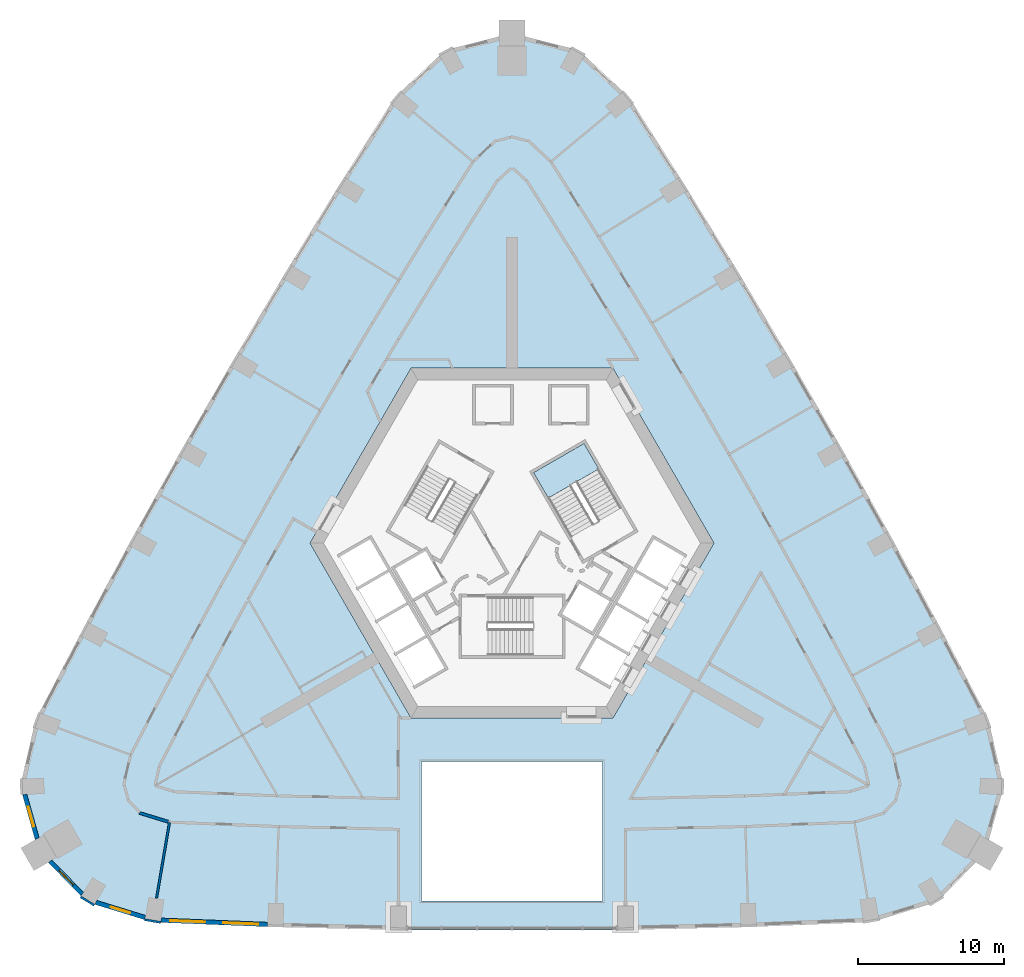
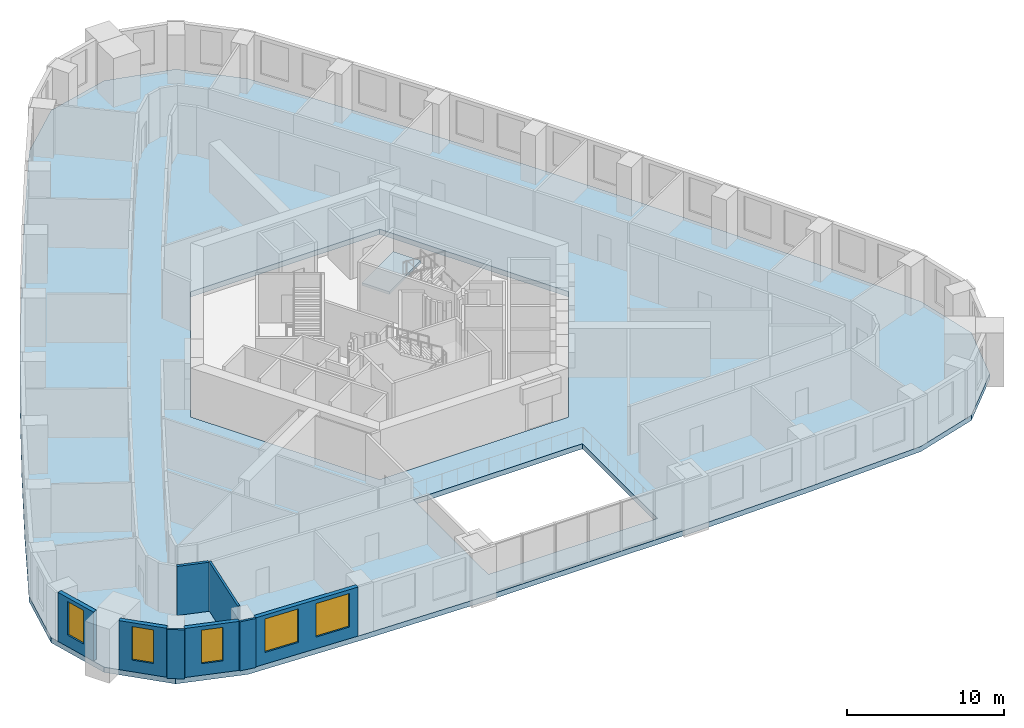
# One storey, part 3 of 12: 8 walls, 5 windows, 2 slabs, 5 openings, 1 element without a shape of its own.
"""IFC4 building model written with IfcOpenShell, lengths in metres."""

import ifcopenshell
import ifcopenshell.guid

model = None  # the IFC model being written
_history = None  # IfcOwnerHistory: only IFC2X3 demands one
_inside = {}  # id of a spatial element -> (the spatial element, [elements in it])
_under = {}  # id of a project, library or spatial element -> (it, [spatial elements below it])
_declared = {}  # id of a project -> (the project, [libraries it declares])
_typed = {}  # id of a type object -> (the type object, [elements of that type])
_made_of = {}  # id of a material, layer set ... -> (it, [elements and type objects made of it])


def new_model(schema):
    """Start an empty IFC model of exactly this schema.

    Asked for "IFC4X3", IfcOpenShell would pick the latest addendum, in which some entities
    have other attributes; the version numbers below select the first issue.
    IFC2X3 requires an IfcOwnerHistory on every rooted entity: one is made here for all.
    """
    global model, _history
    if schema == "IFC4X3":
        model = ifcopenshell.file(schema_version=(4, 3, 0, 0))
    else:
        model = ifcopenshell.file(schema=schema)
    _inside.clear()
    _under.clear()
    _declared.clear()
    _typed.clear()
    _made_of.clear()
    _history = None
    if model.schema == "IFC2X3":
        org = make("IfcOrganization", Name="unknown")
        user = make(
            "IfcPersonAndOrganization",
            ThePerson=make("IfcPerson", FamilyName="unknown"),
            TheOrganization=org,
        )
        app = make(
            "IfcApplication",
            ApplicationDeveloper=org,
            Version="unknown",
            ApplicationFullName="unknown",
            ApplicationIdentifier="unknown",
        )
        _history = make(
            "IfcOwnerHistory",
            OwningUser=user,
            OwningApplication=app,
            ChangeAction="ADDED",
            CreationDate=0,
        )
    return model


def make(cls, **values):
    """One entity of the class cls with the attributes given. An attribute that is None is left unset."""
    return model.create_entity(
        cls, **{name: value for name, value in values.items() if value is not None}
    )


def rooted(cls, **values):
    """An entity with a GlobalId (a new one), such as an element, a storey or a relation."""
    return make(cls, GlobalId=ifcopenshell.guid.new(), OwnerHistory=_history, **values)


def si_unit(unit_type, name, prefix=None):
    """IfcSIUnit, for example si_unit("LENGTHUNIT", "METRE", prefix="MILLI")."""
    return make("IfcSIUnit", UnitType=unit_type, Prefix=prefix, Name=name)


def assignment(units):
    """IfcUnitAssignment: the units of a project."""
    return None if units is None else make("IfcUnitAssignment", Units=units)


def point(xyz):
    """IfcCartesianPoint."""
    return None if xyz is None else make("IfcCartesianPoint", Coordinates=xyz)


def direction(xyz):
    """IfcDirection."""
    return None if xyz is None else make("IfcDirection", DirectionRatios=xyz)


def frame(location, z_axis=None, x_axis=None):
    """IfcAxis2Placement3D, a coordinate frame: its origin and axes. An axis left out is left unset."""
    return make(
        "IfcAxis2Placement3D",
        Location=point(location),
        Axis=direction(z_axis),
        RefDirection=direction(x_axis),
    )


def frame_2d(location, x_axis=None):
    """IfcAxis2Placement2D, a coordinate frame in the plane: its origin and x axis."""
    return make(
        "IfcAxis2Placement2D", Location=point(location), RefDirection=direction(x_axis)
    )


def origin():
    """The frame at (0, 0, 0) with its axes left unset."""
    return frame((0.0, 0.0, 0.0))


def place(relative_to, where):
    """IfcLocalPlacement: puts the frame where relative to a parent placement (None: the world)."""
    return make(
        "IfcLocalPlacement", PlacementRelTo=relative_to, RelativePlacement=where
    )


def context(
    kind, dimensions, precision=None, world=None, true_north=None, identifier=None
):
    """IfcGeometricRepresentationContext, for example the 3D "Model" context."""
    return make(
        "IfcGeometricRepresentationContext",
        ContextIdentifier=identifier,
        ContextType=kind,
        CoordinateSpaceDimension=dimensions,
        Precision=precision,
        WorldCoordinateSystem=world,
        TrueNorth=true_north,
    )


def subcontext(parent, identifier, kind, view, scale=None):
    """IfcGeometricRepresentationSubContext, for example "Body" below "Model"."""
    return make(
        "IfcGeometricRepresentationSubContext",
        ContextIdentifier=identifier,
        ContextType=kind,
        ParentContext=parent,
        TargetScale=scale,
        TargetView=view,
    )


def project(units=None, contexts=None):
    """IfcProject with its units and contexts."""
    return rooted(
        "IfcProject",
        Name="project",
        RepresentationContexts=contexts,
        UnitsInContext=assignment(units),
    )


def spatial(cls, under=None, at=None, **own):
    """A site, building, storey or space (cls), placed at a placement, below another one or the project."""
    s = rooted(cls, ObjectPlacement=at, **own)
    if under is not None:
        _under.setdefault(under.id(), (under, []))[1].append(s)
    return s


def polyline(points):
    """IfcPolyline through the points."""
    return make("IfcPolyline", Points=[point(p) for p in points])


def profile(cls, at=None, kind="AREA", **sizes):
    """A parametric profile (cls). Its sizes go by their IFC names, for example OverallWidth=200.0."""
    return make(cls, ProfileType=kind, Position=at, **sizes)


def rectangle(**sizes):
    """IfcRectangleProfileDef."""
    return profile("IfcRectangleProfileDef", **sizes)


def outline(outer, holes=None, kind="AREA"):
    """IfcArbitraryClosedProfileDef: a profile drawn as a closed curve; with holes, ...WithVoids."""
    if holes is None:
        return make("IfcArbitraryClosedProfileDef", ProfileType=kind, OuterCurve=outer)
    return make(
        "IfcArbitraryProfileDefWithVoids",
        ProfileType=kind,
        OuterCurve=outer,
        InnerCurves=holes,
    )


def extrude(swept, where, along, depth):
    """IfcExtrudedAreaSolid: the profile swept, set in the frame where, extruded along a direction by depth."""
    return make(
        "IfcExtrudedAreaSolid",
        SweptArea=swept,
        Position=where,
        ExtrudedDirection=direction(along),
        Depth=depth,
    )


def shape(context_of_items, identifier, shape_type, items):
    """IfcShapeRepresentation: the items that make up one representation, for example the "Body"."""
    return make(
        "IfcShapeRepresentation",
        ContextOfItems=context_of_items,
        RepresentationIdentifier=identifier,
        RepresentationType=shape_type,
        Items=items,
    )


def material(Name=None, Category=None):
    """IfcMaterial."""
    return make("IfcMaterial", Name=Name, Category=Category)


def layer(
    of_material, thickness, ventilated=None, Name=None, Category=None, Priority=None
):
    """IfcMaterialLayer: one layer of a wall or slab, of a material (None: an air gap)."""
    return make(
        "IfcMaterialLayer",
        Material=of_material,
        LayerThickness=thickness,
        IsVentilated=ventilated,
        Name=Name,
        Category=Category,
        Priority=Priority,
    )


def layer_set(layers, Name=None):
    """IfcMaterialLayerSet."""
    return make("IfcMaterialLayerSet", MaterialLayers=layers, LayerSetName=Name)


def made_of(thing, what):
    """Note that an element or type object is made of a material, layer set ...; save() writes the relation."""
    if what is not None:
        _made_of.setdefault(what.id(), (what, []))[1].append(thing)
    return thing


def type_object(cls, material=None, **own):
    """A type object (cls), such as IfcWallType, which elements share."""
    return made_of(rooted(cls, **own), material)


def element(
    cls,
    number,
    at=None,
    inside=None,
    cuts=None,
    type_object=None,
    material=None,
    context=None,
    identifier="Body",
    shape_type=None,
    held_by="IfcProductDefinitionShape",
    body=None,
    shapes=None,
    **own,
):
    """One element of the class cls, such as IfcWall. Its Tag is "e" and its number.

    at: its placement. inside: the storey or other place that contains it. cuts: it is an
    opening in that element (IfcRelVoidsElement). A single representation is given by context,
    identifier, shape_type and body (its items); several are given by shapes. held_by: the class
    of the entity that holds the representations. save() writes the other relations.
    """
    e = rooted(cls, Tag="e%d" % number, ObjectPlacement=at, **own)
    if body is not None:
        shapes = [shape(context, identifier, shape_type, body)]
    if shapes is not None:
        e.Representation = make(held_by, Representations=shapes)
    if inside is not None:
        _inside.setdefault(inside.id(), (inside, []))[1].append(e)
    if cuts is not None:
        rooted(
            "IfcRelVoidsElement", RelatingBuildingElement=cuts, RelatedOpeningElement=e
        )
    if type_object is not None:
        _typed.setdefault(type_object.id(), (type_object, []))[1].append(e)
    return made_of(e, material)


def fill(opening, filler):
    """IfcRelFillsElement: the door or window that sits in an opening."""
    return rooted(
        "IfcRelFillsElement",
        RelatingOpeningElement=opening,
        RelatedBuildingElement=filler,
    )


def aggregate(whole, parts):
    """IfcRelAggregates: a whole, such as a stair, and the parts it consists of."""
    return rooted("IfcRelAggregates", RelatingObject=whole, RelatedObjects=parts)


def save(model, path):
    """Write the relations noted so far, then the file.

    IfcRelAggregates (storeys below a building ...), IfcRelContainedInSpatialStructure (elements
    in a storey), IfcRelDefinesByType, IfcRelAssociatesMaterial and IfcRelDeclares: one each for
    every whole, place, type object, material and project.
    """
    for whole, parts in _under.values():
        aggregate(whole, parts)
    for where, things in _inside.values():
        rooted(
            "IfcRelContainedInSpatialStructure",
            RelatedElements=things,
            RelatingStructure=where,
        )
    for kind, things in _typed.values():
        rooted("IfcRelDefinesByType", RelatedObjects=things, RelatingType=kind)
    for what, things in _made_of.values():
        rooted("IfcRelAssociatesMaterial", RelatedObjects=things, RelatingMaterial=what)
    for by, libraries in _declared.values():
        rooted("IfcRelDeclares", RelatingContext=by, RelatedDefinitions=libraries)
    model.write(path)


model = new_model("IFC4")

# Units and contexts
model_context = context("Model", 3, precision=1e-05, world=origin(), true_north=direction((0.0, 1.0)))
body_context = subcontext(model_context, "Body", "Model", "MODEL_VIEW")
ifc_project = project(units=[si_unit("LENGTHUNIT", "METRE"), si_unit("AREAUNIT", "SQUARE_METRE"), si_unit("VOLUMEUNIT", "CUBIC_METRE"), si_unit("PLANEANGLEUNIT", "RADIAN"), si_unit("MASSUNIT", "GRAM", prefix="KILO")], contexts=[model_context])

# Site, building, storey
site_placement = place(None, origin())
site = spatial("IfcSite", under=ifc_project, at=site_placement, CompositionType="ELEMENT")
building_placement = place(site_placement, origin())
building = spatial("IfcBuilding", under=site, at=building_placement, Name="Entoto Arch Interchange Tower", CompositionType="ELEMENT")
storey_placement = place(building_placement, frame((0.0, 0.0, 142.39990234375)))
storey = spatial("IfcBuildingStorey", under=building, at=storey_placement, Name="L31", CompositionType="ELEMENT", Elevation=142.39990234375)

# Stair, slab
ifc_material_1 = material(Name="Concrete C40/50", Category="concrete")
stair_type = type_object("IfcStairType", Name="EXIT STAIR RC 1800", PredefinedType="HALF_TURN_STAIR", material=ifc_material_1)
stair_placement = place(storey_placement, origin())
stair = element("IfcStair", 1, at=stair_placement, inside=storey, type_object=stair_type, Name="L31 Exit stair NE", PredefinedType="HALF_TURN_STAIR")
ifc_layer_1 = layer(ifc_material_1, 0.199951171875)
ifc_layer_set_1 = layer_set([ifc_layer_1], Name="Concrete C40/50")
slab_type_1 = type_object("IfcSlabType", Name="EXIT STAIR LANDING RC 200", PredefinedType="LANDING", material=ifc_layer_set_1)
slab_1_placement = place(storey_placement, frame((0.0, 0.0, 1.900146484375)))
slab_1 = element("IfcSlab", 2, at=slab_1_placement, type_object=slab_type_1, Name="ST-NE landing 1", PredefinedType="LANDING", context=body_context, shape_type="SweptSolid", body=[
    extrude(outline(polyline([(5.953369140625, 7.58837890625), (4.943359375, 9.337890625), (1.479248046875, 7.337890625), (2.4892578125, 5.58837890625), (5.953369140625, 7.58837890625)])), origin(), (0.0, 0.0, 1.0), 0.199951171875),
])
aggregate(stair, [slab_1])

# Slab
ifc_layer_2 = layer(ifc_material_1, 0.39990234375)
ifc_layer_set_2 = layer_set([ifc_layer_2], Name="Concrete C40/50")
slab_type_2 = type_object("IfcSlabType", Name="Post-tensioned flat plate 400 C40/50", PredefinedType="FLOOR", material=ifc_layer_set_2)
slab_2_placement = place(storey_placement, frame((0.0, 0.0, -0.39990234375)))
element("IfcSlab", 3, at=slab_2_placement, inside=storey, type_object=slab_type_2, Name="Floor slab L31", PredefinedType="FLOOR", context=body_context, shape_type="SweptSolid", body=[
    extrude(outline(polyline([(-24.6689453125, -23.5048828125), (-16.23388671875, -23.842041015625), (-7.800048828125, -24.041015625), (7.800048828125, -24.041015625), (16.23388671875, -23.842041015625), (24.6689453125, -23.5048828125), (29.176025390625, -22.1201171875), (32.469970703125, -18.74609375), (33.7451171875, -14.20703125), (32.68994140625, -9.611083984375), (29.419921875, -3.364990234375), (26.06396484375, 2.8369140625), (22.623046875, 8.990966796875), (19.097900390625, 15.096923828125), (15.489013671875, 21.154052734375), (11.7958984375, 27.160888671875), (8.02099609375, 33.115966796875), (4.569091796875, 36.326904296875), (0.0, 37.492919921875), (-4.569091796875, 36.326904296875), (-8.02099609375, 33.115966796875), (-11.7958984375, 27.160888671875), (-15.489013671875, 21.154052734375), (-19.097900390625, 15.096923828125), (-22.623046875, 8.990966796875), (-26.06396484375, 2.8369140625), (-29.419921875, -3.364990234375), (-32.68994140625, -9.611083984375), (-33.7451171875, -14.20703125), (-32.469970703125, -18.74609375), (-29.176025390625, -22.1201171875), (-24.6689453125, -23.5048828125)]), holes=[polyline([(6.199951171875, -22.041015625), (6.199951171875, -12.5), (-6.199951171875, -12.5), (-6.199951171875, -22.041015625), (6.199951171875, -22.041015625)]), polyline([(13.85595703125, 2.5), (6.927978515625, 14.5), (-6.927978515625, 14.5), (-13.85595703125, 2.5), (-6.927978515625, -9.5), (6.927978515625, -9.5), (13.85595703125, 2.5)])]), origin(), (0.0, 0.0, 1.0), 0.39990234375),
])

# Walls
ifc_material_2 = material(Name="Gypsum board partition on steel studs", Category="steel")
ifc_layer_3 = layer(ifc_material_2, 0.14990234375)
ifc_layer_set_3 = layer_set([ifc_layer_3], Name="Gypsum board partition on steel studs")
wall_type_1 = type_object("IfcWallType", Name="PARTITION 150", PredefinedType="PARTITIONING", material=ifc_layer_set_3)
wall_1_placement = place(storey_placement, frame((-23.498046875, -16.64599609375, 0.0), z_axis=(0.0, 0.0, 1.0), x_axis=(-0.168275674737, -0.985739974482, 0.0)))
element("IfcWall", 4, at=wall_1_placement, inside=storey, type_object=wall_type_1, Name="wall:L31:p138", PredefinedType="PARTITIONING", context=body_context, shape_type="SweptSolid", body=[
    extrude(rectangle(XDim=5.288330078125, YDim=0.14990234375, at=frame_2d((2.64404296875, 0.0))), origin(), (0.0, 0.0, 1.0), 3.800048828125),
])
ifc_layer_4 = layer(ifc_material_2, 0.199951171875)
ifc_layer_set_4 = layer_set([ifc_layer_4], Name="Gypsum board partition on steel studs")
wall_type_2 = type_object("IfcWallType", Name="PARTITION 200", PredefinedType="PARTITIONING", material=ifc_layer_set_4)
wall_2_placement = place(storey_placement, frame((-23.593994140625, -16.616943359375, 0.0), z_axis=(0.0, 0.0, 1.0), x_axis=(-0.955896815358, 0.293702704087, 0.0)))
element("IfcWall", 5, at=wall_2_placement, inside=storey, type_object=wall_type_2, Name="wall:L31:p060", PredefinedType="PARTITIONING", context=body_context, shape_type="SweptSolid", body=[
    extrude(rectangle(XDim=2.059814453125, YDim=0.199951171875, at=frame_2d((1.02978515625, 0.0))), origin(), (0.0, 0.0, 1.0), 3.800048828125),
])

# Wall, openings, windows
ifc_material_3 = material(Name="Welded tuff (ignimbrite) cladding, warm buff", Category="masonry")
ifc_layer_5 = layer(ifc_material_3, 0.300048828125)
ifc_layer_set_5 = layer_set([ifc_layer_5], Name="Welded tuff (ignimbrite) cladding, warm buff")
wall_type_3 = type_object("IfcWallType", Name="STONE INFILL WALL 300", PredefinedType="STANDARD", material=ifc_layer_set_5)
wall_3_placement = place(storey_placement, frame((-24.090087890625, -23.3779296875, 0.0), z_axis=(0.0, 0.0, 1.0), x_axis=(0.999203621229, -0.039901420066, 0.0)))
wall_3 = element("IfcWall", 6, at=wall_3_placement, inside=storey, type_object=wall_type_3, Name="Facade wall S-01 L31", PredefinedType="STANDARD", context=body_context, shape_type="SweptSolid", body=[
    extrude(rectangle(XDim=7.31787109375, YDim=0.300048828125, at=frame_2d((3.658935546875, 0.0))), origin(), (0.0, 0.0, 1.0), 3.800048828125),
])
opening_1_placement = place(wall_3_placement, frame((0.62890625, 0.0, 0.89990234375)))
opening_1 = element("IfcOpeningElement", 7, at=opening_1_placement, cuts=wall_3, Name="Opening WO-A", PredefinedType="OPENING", context=body_context, shape_type="SweptSolid", body=[
    extrude(rectangle(XDim=2.39990234375, YDim=2.60009765625, at=frame_2d((1.199951171875, 1.300048828125))), frame((0.0, 0.16015625, 0.0), z_axis=(0.0, -1.0, 0.0), x_axis=(1.0, 0.0, 0.0)), (0.0, 0.0, 1.0), 0.320068359375),
])
opening_2_placement = place(wall_3_placement, frame((4.2880859375, 0.0, 0.89990234375)))
opening_2 = element("IfcOpeningElement", 8, at=opening_2_placement, cuts=wall_3, Name="Opening WO-A", PredefinedType="OPENING", context=body_context, shape_type="SweptSolid", body=[
    extrude(rectangle(XDim=2.39990234375, YDim=2.60009765625, at=frame_2d((1.199951171875, 1.300048828125))), frame((0.0, 0.16015625, 0.0), z_axis=(0.0, -1.0, 0.0), x_axis=(1.0, 0.0, 0.0)), (0.0, 0.0, 1.0), 0.320068359375),
])
ifc_material_4 = material(Name="Clear glass, low-e double glazed", Category="glass")
window_type_1 = type_object("IfcWindowType", Name="WINDOW WO-A 2400x2600", PartitioningType="DOUBLE_PANEL_VERTICAL", PredefinedType="WINDOW", material=ifc_material_4)
window_1_placement = place(opening_1_placement, origin())
window_1 = element("IfcWindow", 9, at=window_1_placement, inside=storey, type_object=window_type_1, Name="Window WO-A S-01 L31", OverallHeight=2.60009765625, OverallWidth=2.39990234375, PartitioningType="SINGLE_PANEL", PredefinedType="WINDOW", context=body_context, shape_type="SweptSolid", body=[
    extrude(rectangle(XDim=2.39990234375, YDim=2.60009765625, at=frame_2d((1.199951171875, 1.300048828125))), frame((0.0, 0.030029296875, 0.0), z_axis=(0.0, -1.0, 0.0), x_axis=(1.0, 0.0, 0.0)), (0.0, 0.0, 1.0), 0.06005859375),
])
fill(opening_1, window_1)
window_2_placement = place(opening_2_placement, origin())
window_2 = element("IfcWindow", 10, at=window_2_placement, inside=storey, type_object=window_type_1, Name="Window WO-A S-01 L31", OverallHeight=2.60009765625, OverallWidth=2.39990234375, PartitioningType="SINGLE_PANEL", PredefinedType="WINDOW", context=body_context, shape_type="SweptSolid", body=[
    extrude(rectangle(XDim=2.39990234375, YDim=2.60009765625, at=frame_2d((1.199951171875, 1.300048828125))), frame((0.0, 0.030029296875, 0.0), z_axis=(0.0, -1.0, 0.0), x_axis=(1.0, 0.0, 0.0)), (0.0, 0.0, 1.0), 0.06005859375),
])
fill(opening_2, window_2)

# Wall, opening, window
wall_4_placement = place(storey_placement, frame((-33.43701171875, -14.7490234375, 0.0), z_axis=(0.0, 0.0, 1.0), x_axis=(0.270471130801, -0.962728085912, 0.0)))
wall_4 = element("IfcWall", 11, at=wall_4_placement, inside=storey, type_object=wall_type_3, Name="Facade wall SW-02 L31", PredefinedType="STANDARD", context=body_context, shape_type="SweptSolid", body=[
    extrude(rectangle(XDim=3.14306640625, YDim=0.300048828125, at=frame_2d((1.571533203125, 0.0))), origin(), (0.0, 0.0, 1.0), 3.800048828125),
])
opening_3_placement = place(wall_4_placement, frame((0.8720703125, 0.0, 0.89990234375)))
opening_3 = element("IfcOpeningElement", 12, at=opening_3_placement, cuts=wall_4, Name="Opening WO-B", PredefinedType="OPENING", context=body_context, shape_type="SweptSolid", body=[
    extrude(rectangle(XDim=1.39990234375, YDim=2.60009765625, at=frame_2d((0.699951171875, 1.300048828125))), frame((0.0, 0.16015625, 0.0), z_axis=(0.0, -1.0, 0.0), x_axis=(1.0, 0.0, 0.0)), (0.0, 0.0, 1.0), 0.320068359375),
])
window_type_2 = type_object("IfcWindowType", Name="WINDOW WO-B 1400x2600", PartitioningType="DOUBLE_PANEL_VERTICAL", PredefinedType="WINDOW", material=ifc_material_4)
window_3_placement = place(opening_3_placement, origin())
window_3 = element("IfcWindow", 13, at=window_3_placement, inside=storey, type_object=window_type_2, Name="Window WO-B SW-02 L31", OverallHeight=2.60009765625, OverallWidth=1.39990234375, PartitioningType="SINGLE_PANEL", PredefinedType="WINDOW", context=body_context, shape_type="SweptSolid", body=[
    extrude(rectangle(XDim=1.39990234375, YDim=2.60009765625, at=frame_2d((0.699951171875, 1.300048828125))), frame((0.0, 0.030029296875, 0.0), z_axis=(0.0, -1.0, 0.0), x_axis=(1.0, 0.0, 0.0)), (0.0, 0.0, 1.0), 0.06005859375),
])
fill(opening_3, window_3)

wall_5_placement = place(storey_placement, frame((-31.68798828125, -19.33203125, 0.0), z_axis=(0.0, 0.0, 1.0), x_axis=(0.698633260198, -0.715479956215, 0.0)))
wall_5 = element("IfcWall", 14, at=wall_5_placement, inside=storey, type_object=wall_type_3, Name="Facade wall SW-03 L31", PredefinedType="STANDARD", context=body_context, shape_type="SweptSolid", body=[
    extrude(rectangle(XDim=3.144775390625, YDim=0.300048828125, at=frame_2d((1.572265625, 0.0))), origin(), (0.0, 0.0, 1.0), 3.800048828125),
])
opening_4_placement = place(wall_5_placement, frame((0.8720703125, 0.0, 0.89990234375)))
opening_4 = element("IfcOpeningElement", 15, at=opening_4_placement, cuts=wall_5, Name="Opening WO-B", PredefinedType="OPENING", context=body_context, shape_type="SweptSolid", body=[
    extrude(rectangle(XDim=1.39990234375, YDim=2.60009765625, at=frame_2d((0.699951171875, 1.300048828125))), frame((0.0, 0.16015625, 0.0), z_axis=(0.0, -1.0, 0.0), x_axis=(1.0, 0.0, 0.0)), (0.0, 0.0, 1.0), 0.320068359375),
])
window_4_placement = place(opening_4_placement, origin())
window_4 = element("IfcWindow", 16, at=window_4_placement, inside=storey, type_object=window_type_2, Name="Window WO-B SW-03 L31", OverallHeight=2.60009765625, OverallWidth=1.39990234375, PartitioningType="SINGLE_PANEL", PredefinedType="WINDOW", context=body_context, shape_type="SweptSolid", body=[
    extrude(rectangle(XDim=1.39990234375, YDim=2.60009765625, at=frame_2d((0.699951171875, 1.300048828125))), frame((0.0, 0.030029296875, 0.0), z_axis=(0.0, -1.0, 0.0), x_axis=(1.0, 0.0, 0.0)), (0.0, 0.0, 1.0), 0.06005859375),
])
fill(opening_4, window_4)

wall_6_placement = place(storey_placement, frame((-28.553955078125, -22.154052734375, 0.0), z_axis=(0.0, 0.0, 1.0), x_axis=(0.955874475611, -0.293775402094, 0.0)))
wall_6 = element("IfcWall", 17, at=wall_6_placement, inside=storey, type_object=wall_type_3, Name="Facade wall SW-04 L31", PredefinedType="STANDARD", context=body_context, shape_type="SweptSolid", body=[
    extrude(rectangle(XDim=3.536865234375, YDim=0.300048828125, at=frame_2d((1.7685546875, 0.0))), origin(), (0.0, 0.0, 1.0), 3.800048828125),
])
opening_5_placement = place(wall_6_placement, frame((1.069091796875, 0.0, 0.89990234375)))
opening_5 = element("IfcOpeningElement", 18, at=opening_5_placement, cuts=wall_6, Name="Opening WO-B", PredefinedType="OPENING", context=body_context, shape_type="SweptSolid", body=[
    extrude(rectangle(XDim=1.39990234375, YDim=2.60009765625, at=frame_2d((0.699951171875, 1.300048828125))), frame((0.0, 0.16015625, 0.0), z_axis=(0.0, -1.0, 0.0), x_axis=(1.0, 0.0, 0.0)), (0.0, 0.0, 1.0), 0.320068359375),
])
window_5_placement = place(opening_5_placement, origin())
window_5 = element("IfcWindow", 19, at=window_5_placement, inside=storey, type_object=window_type_2, Name="Window WO-B SW-04 L31", OverallHeight=2.60009765625, OverallWidth=1.39990234375, PartitioningType="SINGLE_PANEL", PredefinedType="WINDOW", context=body_context, shape_type="SweptSolid", body=[
    extrude(rectangle(XDim=1.39990234375, YDim=2.60009765625, at=frame_2d((0.699951171875, 1.300048828125))), frame((0.0, 0.030029296875, 0.0), z_axis=(0.0, -1.0, 0.0), x_axis=(1.0, 0.0, 0.0)), (0.0, 0.0, 1.0), 0.06005859375),
])
fill(opening_5, window_5)

# Walls
ifc_layer_6 = layer(ifc_material_3, 0.14990234375)
ifc_layer_set_6 = layer_set([ifc_layer_6], Name="Welded tuff (ignimbrite) cladding, warm buff")
wall_type_4 = type_object("IfcWallType", Name="STONE PIER CLADDING 150", PredefinedType="STANDARD", material=ifc_layer_set_6)
wall_7_placement = place(storey_placement, frame((-25.198974609375, -23.339111328125, 0.0), z_axis=(0.0, 0.0, 1.0), x_axis=(0.985800082077, -0.167923191299, 0.0)))
element("IfcWall", 20, at=wall_7_placement, inside=storey, type_object=wall_type_4, Name="Stone pier S01 L31", PredefinedType="STANDARD", context=body_context, shape_type="SweptSolid", body=[
    extrude(rectangle(XDim=1.1005859375, YDim=0.14990234375, at=frame_2d((0.55029296875, 0.0))), origin(), (0.0, 0.0, 1.0), 3.800048828125),
])
wall_8_placement = place(storey_placement, frame((-29.60595703125, -21.77001953125, 0.0), z_axis=(0.0, 0.0, 1.0), x_axis=(0.854005542721, -0.520263907071, 0.0)))
element("IfcWall", 21, at=wall_8_placement, inside=storey, type_object=wall_type_4, Name="Stone pier SW3 L31", PredefinedType="STANDARD", context=body_context, shape_type="SweptSolid", body=[
    extrude(rectangle(XDim=1.099365234375, YDim=0.14990234375, at=frame_2d((0.5498046875, 0.0))), origin(), (0.0, 0.0, 1.0), 3.800048828125),
])

save(model, "model.ifc")
